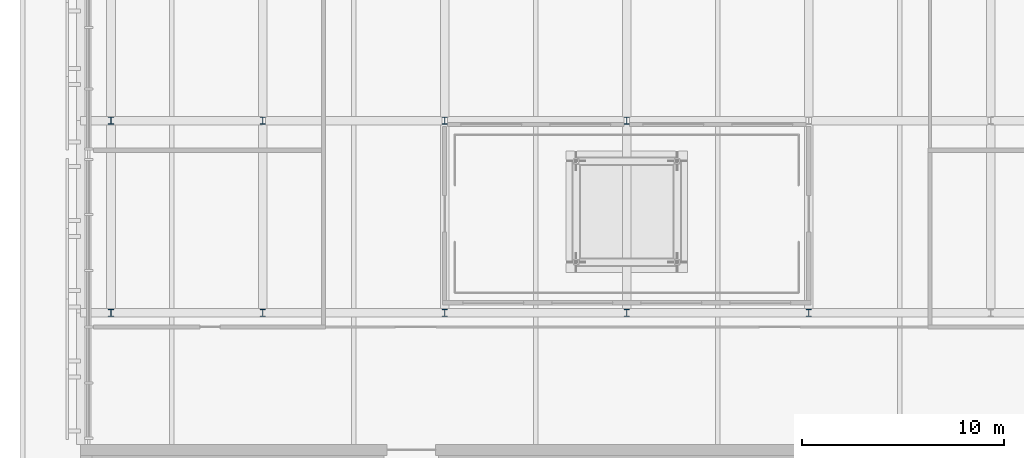
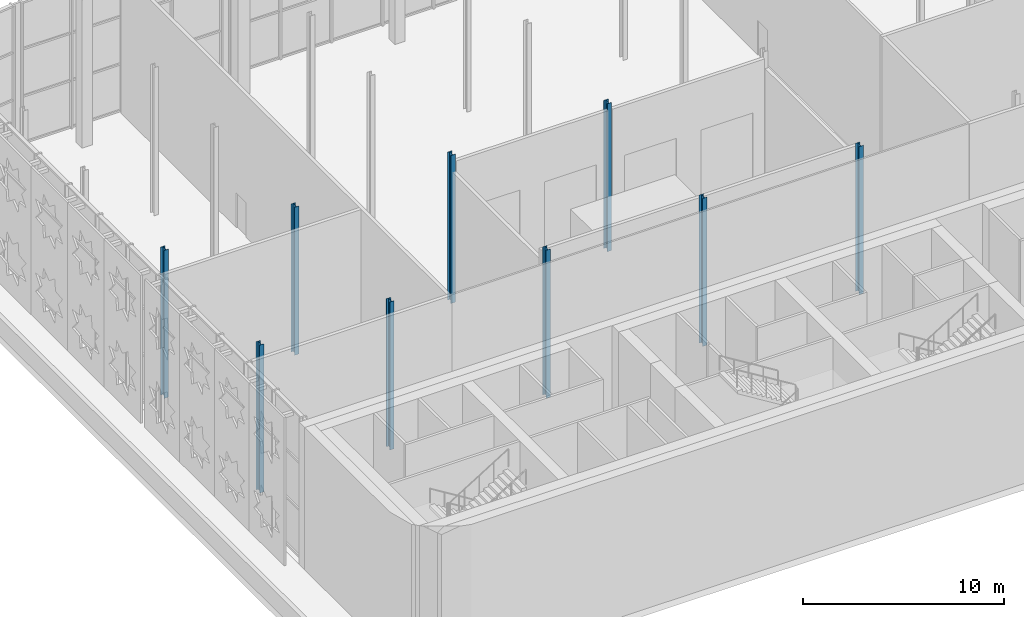
# One storey, part 1 of 26: 9 columns.
"""IFC4 building model written with IfcOpenShell, lengths in metres."""

import ifcopenshell
import ifcopenshell.guid

model = None  # the IFC model being written
_history = None  # IfcOwnerHistory: only IFC2X3 demands one
_inside = {}  # id of a spatial element -> (the spatial element, [elements in it])
_under = {}  # id of a project, library or spatial element -> (it, [spatial elements below it])
_declared = {}  # id of a project -> (the project, [libraries it declares])
_typed = {}  # id of a type object -> (the type object, [elements of that type])
_made_of = {}  # id of a material, layer set ... -> (it, [elements and type objects made of it])


def new_model(schema):
    """Start an empty IFC model of exactly this schema.

    Asked for "IFC4X3", IfcOpenShell would pick the latest addendum, in which some entities
    have other attributes; the version numbers below select the first issue.
    IFC2X3 requires an IfcOwnerHistory on every rooted entity: one is made here for all.
    """
    global model, _history
    if schema == "IFC4X3":
        model = ifcopenshell.file(schema_version=(4, 3, 0, 0))
    else:
        model = ifcopenshell.file(schema=schema)
    _inside.clear()
    _under.clear()
    _declared.clear()
    _typed.clear()
    _made_of.clear()
    _history = None
    if model.schema == "IFC2X3":
        org = make("IfcOrganization", Name="unknown")
        user = make(
            "IfcPersonAndOrganization",
            ThePerson=make("IfcPerson", FamilyName="unknown"),
            TheOrganization=org,
        )
        app = make(
            "IfcApplication",
            ApplicationDeveloper=org,
            Version="unknown",
            ApplicationFullName="unknown",
            ApplicationIdentifier="unknown",
        )
        _history = make(
            "IfcOwnerHistory",
            OwningUser=user,
            OwningApplication=app,
            ChangeAction="ADDED",
            CreationDate=0,
        )
    return model


def make(cls, **values):
    """One entity of the class cls with the attributes given. An attribute that is None is left unset."""
    return model.create_entity(
        cls, **{name: value for name, value in values.items() if value is not None}
    )


def rooted(cls, **values):
    """An entity with a GlobalId (a new one), such as an element, a storey or a relation."""
    return make(cls, GlobalId=ifcopenshell.guid.new(), OwnerHistory=_history, **values)


def si_unit(unit_type, name, prefix=None):
    """IfcSIUnit, for example si_unit("LENGTHUNIT", "METRE", prefix="MILLI")."""
    return make("IfcSIUnit", UnitType=unit_type, Prefix=prefix, Name=name)


def assignment(units):
    """IfcUnitAssignment: the units of a project."""
    return None if units is None else make("IfcUnitAssignment", Units=units)


def point(xyz):
    """IfcCartesianPoint."""
    return None if xyz is None else make("IfcCartesianPoint", Coordinates=xyz)


def direction(xyz):
    """IfcDirection."""
    return None if xyz is None else make("IfcDirection", DirectionRatios=xyz)


def frame(location, z_axis=None, x_axis=None):
    """IfcAxis2Placement3D, a coordinate frame: its origin and axes. An axis left out is left unset."""
    return make(
        "IfcAxis2Placement3D",
        Location=point(location),
        Axis=direction(z_axis),
        RefDirection=direction(x_axis),
    )


def frame_2d(location, x_axis=None):
    """IfcAxis2Placement2D, a coordinate frame in the plane: its origin and x axis."""
    return make(
        "IfcAxis2Placement2D", Location=point(location), RefDirection=direction(x_axis)
    )


def origin():
    """The frame at (0, 0, 0) with its axes left unset."""
    return frame((0.0, 0.0, 0.0))


def origin_2d():
    """The frame at (0, 0) in the plane with its x axis left unset."""
    return frame_2d((0.0, 0.0))


def place(relative_to, where):
    """IfcLocalPlacement: puts the frame where relative to a parent placement (None: the world)."""
    return make(
        "IfcLocalPlacement", PlacementRelTo=relative_to, RelativePlacement=where
    )


def context(
    kind, dimensions, precision=None, world=None, true_north=None, identifier=None
):
    """IfcGeometricRepresentationContext, for example the 3D "Model" context."""
    return make(
        "IfcGeometricRepresentationContext",
        ContextIdentifier=identifier,
        ContextType=kind,
        CoordinateSpaceDimension=dimensions,
        Precision=precision,
        WorldCoordinateSystem=world,
        TrueNorth=true_north,
    )


def subcontext(parent, identifier, kind, view, scale=None):
    """IfcGeometricRepresentationSubContext, for example "Body" below "Model"."""
    return make(
        "IfcGeometricRepresentationSubContext",
        ContextIdentifier=identifier,
        ContextType=kind,
        ParentContext=parent,
        TargetScale=scale,
        TargetView=view,
    )


def project(units=None, contexts=None):
    """IfcProject with its units and contexts."""
    return rooted(
        "IfcProject",
        Name="project",
        RepresentationContexts=contexts,
        UnitsInContext=assignment(units),
    )


def spatial(cls, under=None, at=None, **own):
    """A site, building, storey or space (cls), placed at a placement, below another one or the project."""
    s = rooted(cls, ObjectPlacement=at, **own)
    if under is not None:
        _under.setdefault(under.id(), (under, []))[1].append(s)
    return s


def profile(cls, at=None, kind="AREA", **sizes):
    """A parametric profile (cls). Its sizes go by their IFC names, for example OverallWidth=200.0."""
    return make(cls, ProfileType=kind, Position=at, **sizes)


def i_section(**sizes):
    """IfcIShapeProfileDef."""
    return profile("IfcIShapeProfileDef", **sizes)


def extrude(swept, where, along, depth):
    """IfcExtrudedAreaSolid: the profile swept, set in the frame where, extruded along a direction by depth."""
    return make(
        "IfcExtrudedAreaSolid",
        SweptArea=swept,
        Position=where,
        ExtrudedDirection=direction(along),
        Depth=depth,
    )


def shape(context_of_items, identifier, shape_type, items):
    """IfcShapeRepresentation: the items that make up one representation, for example the "Body"."""
    return make(
        "IfcShapeRepresentation",
        ContextOfItems=context_of_items,
        RepresentationIdentifier=identifier,
        RepresentationType=shape_type,
        Items=items,
    )


def material(Name=None, Category=None):
    """IfcMaterial."""
    return make("IfcMaterial", Name=Name, Category=Category)


def material_profile(
    of_material, cross_section, Name=None, Category=None, Priority=None
):
    """IfcMaterialProfile: a cross section and its material."""
    return make(
        "IfcMaterialProfile",
        Name=Name,
        Material=of_material,
        Profile=cross_section,
        Priority=Priority,
        Category=Category,
    )


def profile_set(profiles, Name=None, composite=None):
    """IfcMaterialProfileSet."""
    return make(
        "IfcMaterialProfileSet",
        Name=Name,
        MaterialProfiles=profiles,
        CompositeProfile=composite,
    )


def made_of(thing, what):
    """Note that an element or type object is made of a material, layer set ...; save() writes the relation."""
    if what is not None:
        _made_of.setdefault(what.id(), (what, []))[1].append(thing)
    return thing


def type_object(cls, material=None, **own):
    """A type object (cls), such as IfcWallType, which elements share."""
    return made_of(rooted(cls, **own), material)


def element(
    cls,
    number,
    at=None,
    inside=None,
    cuts=None,
    type_object=None,
    material=None,
    context=None,
    identifier="Body",
    shape_type=None,
    held_by="IfcProductDefinitionShape",
    body=None,
    shapes=None,
    **own,
):
    """One element of the class cls, such as IfcWall. Its Tag is "e" and its number.

    at: its placement. inside: the storey or other place that contains it. cuts: it is an
    opening in that element (IfcRelVoidsElement). A single representation is given by context,
    identifier, shape_type and body (its items); several are given by shapes. held_by: the class
    of the entity that holds the representations. save() writes the other relations.
    """
    e = rooted(cls, Tag="e%d" % number, ObjectPlacement=at, **own)
    if body is not None:
        shapes = [shape(context, identifier, shape_type, body)]
    if shapes is not None:
        e.Representation = make(held_by, Representations=shapes)
    if inside is not None:
        _inside.setdefault(inside.id(), (inside, []))[1].append(e)
    if cuts is not None:
        rooted(
            "IfcRelVoidsElement", RelatingBuildingElement=cuts, RelatedOpeningElement=e
        )
    if type_object is not None:
        _typed.setdefault(type_object.id(), (type_object, []))[1].append(e)
    return made_of(e, material)


def aggregate(whole, parts):
    """IfcRelAggregates: a whole, such as a stair, and the parts it consists of."""
    return rooted("IfcRelAggregates", RelatingObject=whole, RelatedObjects=parts)


def save(model, path):
    """Write the relations noted so far, then the file.

    IfcRelAggregates (storeys below a building ...), IfcRelContainedInSpatialStructure (elements
    in a storey), IfcRelDefinesByType, IfcRelAssociatesMaterial and IfcRelDeclares: one each for
    every whole, place, type object, material and project.
    """
    for whole, parts in _under.values():
        aggregate(whole, parts)
    for where, things in _inside.values():
        rooted(
            "IfcRelContainedInSpatialStructure",
            RelatedElements=things,
            RelatingStructure=where,
        )
    for kind, things in _typed.values():
        rooted("IfcRelDefinesByType", RelatedObjects=things, RelatingType=kind)
    for what, things in _made_of.values():
        rooted("IfcRelAssociatesMaterial", RelatedObjects=things, RelatingMaterial=what)
    for by, libraries in _declared.values():
        rooted("IfcRelDeclares", RelatingContext=by, RelatedDefinitions=libraries)
    model.write(path)


model = new_model("IFC4")

# Units and contexts
model_context = context("Model", 3, precision=1e-05, world=origin(), true_north=direction((0.0, 1.0)))
body_context = subcontext(model_context, "Body", "Model", "MODEL_VIEW")
ifc_project = project(units=[si_unit("LENGTHUNIT", "METRE"), si_unit("AREAUNIT", "SQUARE_METRE"), si_unit("VOLUMEUNIT", "CUBIC_METRE"), si_unit("PLANEANGLEUNIT", "RADIAN"), si_unit("MASSUNIT", "GRAM", prefix="KILO")], contexts=[model_context])

# Site, building, storey
site_placement = place(None, origin())
site = spatial("IfcSite", under=ifc_project, at=site_placement, CompositionType="ELEMENT")
building_placement = place(site_placement, origin())
building = spatial("IfcBuilding", under=site, at=building_placement, Name="Zellij Exchange Tower", CompositionType="ELEMENT")
storey_placement = place(building_placement, frame((0.0, 0.0, 296.5)))
storey = spatial("IfcBuildingStorey", under=building, at=storey_placement, Name="L70", CompositionType="ELEMENT", Elevation=296.5)

# Columns
ifc_material = material(Name="Structural steel ASTM A992 Gr 50", Category="steel")
ifc_material_profile = material_profile(ifc_material, i_section(OverallWidth=0.25390625, OverallDepth=0.35302734375, WebThickness=0.009521484375, FlangeThickness=0.016357421875, at=origin_2d()), Name="W14x61")
ifc_profile_set = profile_set([ifc_material_profile], Name="Structural steel ASTM A992 Gr 50")
column_type = type_object("IfcColumnType", Name="STR-COLUMN W14x61", PredefinedType="COLUMN", material=ifc_profile_set)
for number, where, z_axis, x_axis, name in (
    (1, (-25.5, 4.5, 0.0), (0.0, 0.0, 1.0), (1.0, 0.0, 0.0), "C6"),
    (2, (-18.0, 4.5, 0.0), (0.0, 0.0, 1.0), (1.0, 0.0, 0.0), "C6"),
    (3, (-9.0, 4.5, 0.0), (0.0, 0.0, 1.0), (1.0, 0.0, 0.0), "C6"),
    (4, (0.0, 4.5, 0.0), (0.0, 0.0, 1.0), (1.0, 0.0, 0.0), "C6"),
    (5, (9.0, 4.5, 0.0), (0.0, 0.0, 1.0), (1.0, 0.0, 0.0), "C6"),
    (6, (-25.5, 14.0, 0.0), (0.0, 0.0, 1.0), (1.0, 0.0, 0.0), "C6"),
    (7, (-18.0, 14.0, 0.0), (0.0, 0.0, 1.0), (1.0, 0.0, 0.0), "C6"),
    (8, (-9.0, 14.0, 0.0), (0.0, 0.0, 1.0), (1.0, 0.0, 0.0), "C6"),
    (9, (0.0, 14.0, 0.0), (0.0, 0.0, 1.0), (1.0, 0.0, 0.0), "C6"),
):
    element("IfcColumn", number, at=place(storey_placement, frame(where, z_axis=z_axis, x_axis=x_axis)), inside=storey, type_object=column_type, Name=name, PredefinedType="COLUMN", context=body_context, shape_type="SweptSolid", body=[
        extrude(i_section(OverallWidth=0.25390625, OverallDepth=0.35302734375, WebThickness=0.009521484375, FlangeThickness=0.016357421875, at=origin_2d()), origin(), (0.0, 0.0, 1.0), 9.0),
    ])

save(model, "model.ifc")
